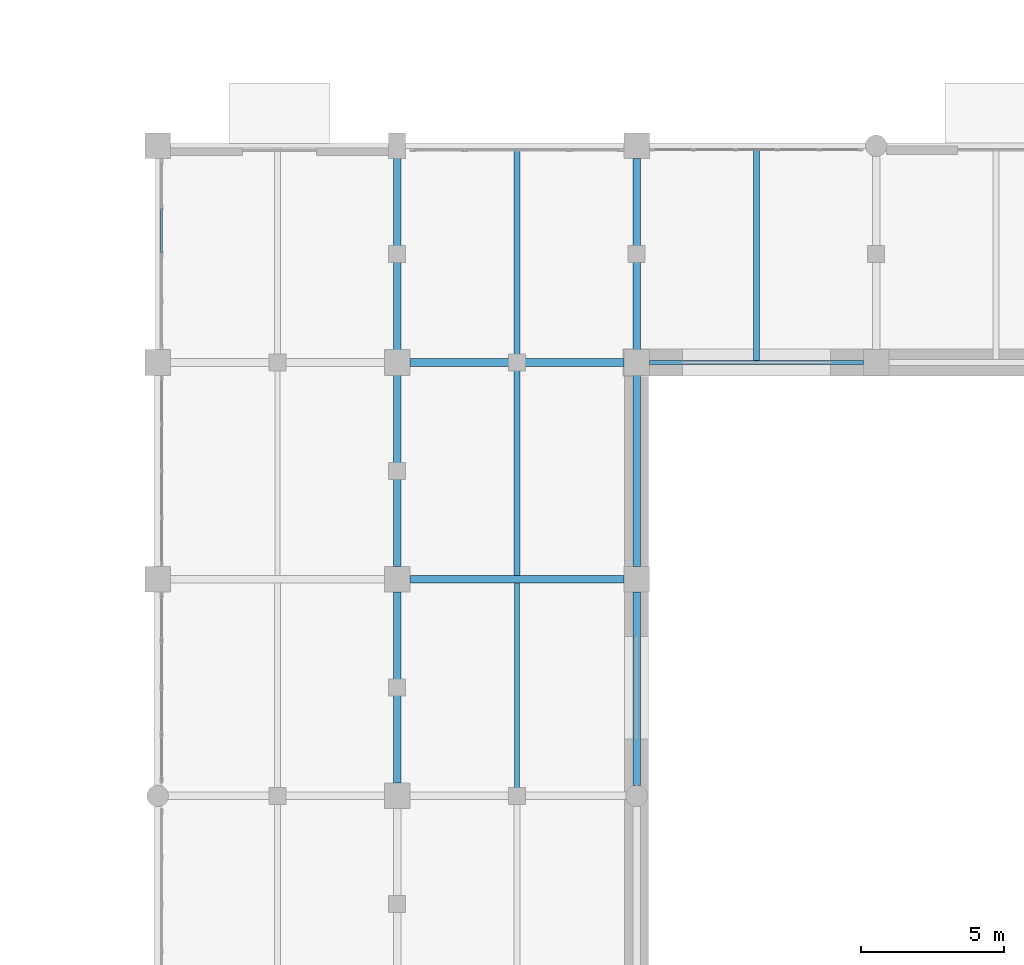
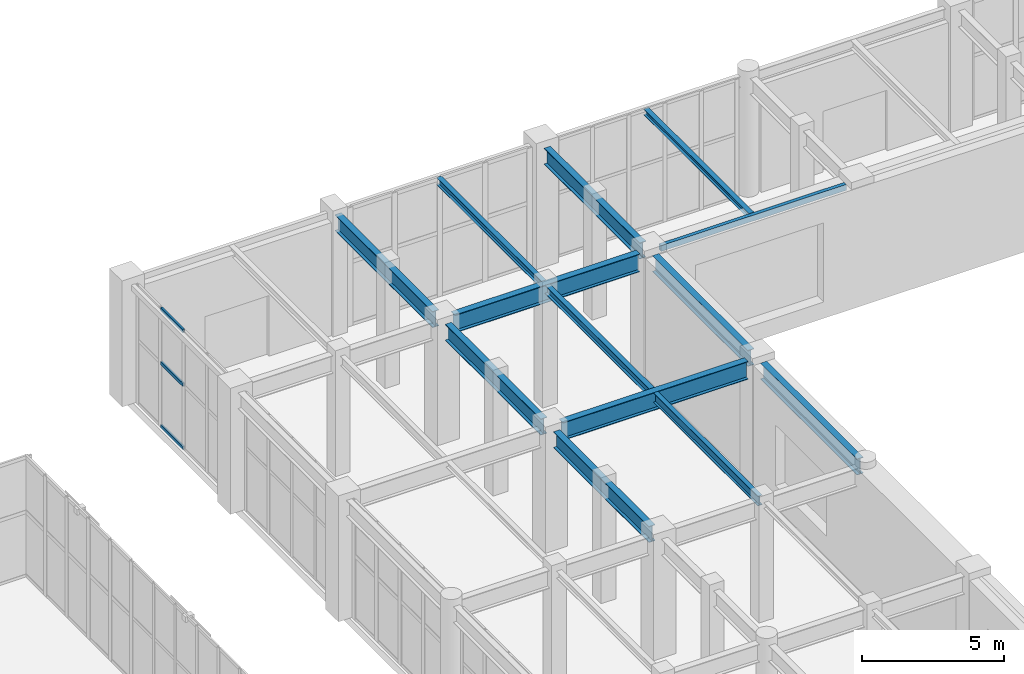
# One storey, part 57 of 139: 13 beams, 3 members, 1 element without a shape of its own.
"""IFC4 building model written with IfcOpenShell, lengths in metres."""

from ifc_helpers import new_model, si_unit, direction, frame, origin, origin_2d, place, context, subcontext, project, spatial, hollow_rectangle, i_section, extrude, material, layer, layer_set, material_profile, profile_set, type_object, element, aggregate, save


model = new_model("IFC4")

# Units and contexts
model_context = context("Model", 3, precision=1e-05, world=origin(), true_north=direction((0.0, 1.0)))
body_context = subcontext(model_context, "Body", "Model", "MODEL_VIEW")
ifc_project = project(units=[si_unit("LENGTHUNIT", "METRE"), si_unit("AREAUNIT", "SQUARE_METRE"), si_unit("VOLUMEUNIT", "CUBIC_METRE"), si_unit("PLANEANGLEUNIT", "RADIAN"), si_unit("MASSUNIT", "GRAM", prefix="KILO")], contexts=[model_context])

# Site, building, storey
site_placement = place(None, origin())
site = spatial("IfcSite", under=ifc_project, at=site_placement, CompositionType="ELEMENT")
building_placement = place(site_placement, origin())
building = spatial("IfcBuilding", under=site, at=building_placement, Name="Xicomal Pleat Aquarium", CompositionType="ELEMENT")
storey_placement = place(building_placement, origin())
storey = spatial("IfcBuildingStorey", under=building, at=storey_placement, Name="L01", CompositionType="ELEMENT", Elevation=0.0)

# Beams
ifc_material_1 = material(Name="Structural steel A992 Gr 50", Category="steel")
ifc_material_profile_1 = material_profile(ifc_material_1, i_section(OverallWidth=0.201904296875, OverallDepth=0.2470703125, WebThickness=0.00732421875, FlangeThickness=0.010986328125, at=origin_2d()), Name="IR 250x49")
ifc_profile_set_1 = profile_set([ifc_material_profile_1], Name="Structural steel A992 Gr 50")
beam_type_1 = type_object("IfcBeamType", Name="BM-STL-IR250", PredefinedType="JOIST", material=ifc_profile_set_1)
beam_1_placement = place(storey_placement, frame((64.800048828125, 76.077880859375, 4.9765625), z_axis=(0.0, 1.0, 0.0), x_axis=(-1.0, 0.0, 0.0)))
element("IfcBeam", 1, at=beam_1_placement, inside=storey, type_object=beam_type_1, Name="L01 framing beam FBJ-L01-08-L-1", PredefinedType="JOIST", context=body_context, shape_type="SweptSolid", body=[
    extrude(i_section(OverallWidth=0.201904296875, OverallDepth=0.2470703125, WebThickness=0.00732421875, FlangeThickness=0.010986328125, at=origin_2d()), origin(), (0.0, 0.0, 1.0), 7.422119140625),
])
ifc_material_2 = material(Name="Structural steel A992 Gr 50", Category="steel")
ifc_material_profile_2 = material_profile(ifc_material_2, i_section(OverallWidth=0.202880859375, OverallDepth=0.302978515625, WebThickness=0.007568359375, FlangeThickness=0.01318359375, at=origin_2d()), Name="IR 310x60")
ifc_profile_set_2 = profile_set([ifc_material_profile_2], Name="Structural steel A992 Gr 50")
beam_type_2 = type_object("IfcBeamType", Name="BM-STL-IR310", PredefinedType="JOIST", material=ifc_profile_set_2)
beam_2_placement = place(storey_placement, frame((56.39990234375, 76.136962890625, 4.948486328125), z_axis=(0.0, 1.0, 0.0), x_axis=(-1.0, 0.0, 0.0)))
element("IfcBeam", 2, at=beam_2_placement, inside=storey, type_object=beam_type_2, Name="L01 framing beam FBJ-L01-07-L-1", PredefinedType="JOIST", context=body_context, shape_type="SweptSolid", body=[
    extrude(i_section(OverallWidth=0.202880859375, OverallDepth=0.302978515625, WebThickness=0.007568359375, FlangeThickness=0.01318359375, at=origin_2d()), origin(), (0.0, 0.0, 1.0), 7.360107421875),
])
ifc_material_3 = material(Name="Structural steel A992 Gr 50", Category="steel")
ifc_material_profile_3 = material_profile(ifc_material_3, i_section(OverallWidth=0.205078125, OverallDepth=0.35400390625, WebThickness=0.009521484375, FlangeThickness=0.016845703125, at=origin_2d()), Name="IR 360x79")
ifc_profile_set_3 = profile_set([ifc_material_profile_3], Name="Structural steel A992 Gr 50")
beam_type_3 = type_object("IfcBeamType", Name="BM-STL-IR360", PredefinedType="JOIST", material=ifc_profile_set_3)
beam_3_placement = place(storey_placement, frame((56.39990234375, 68.537109375, 4.923095703125), z_axis=(0.0, 1.0, 0.0), x_axis=(-1.0, 0.0, 0.0)))
element("IfcBeam", 3, at=beam_3_placement, inside=storey, type_object=beam_type_3, Name="L01 framing beam FBJ-L01-07-K-1", PredefinedType="JOIST", context=body_context, shape_type="SweptSolid", body=[
    extrude(i_section(OverallWidth=0.205078125, OverallDepth=0.35400390625, WebThickness=0.009521484375, FlangeThickness=0.016845703125, at=origin_2d()), origin(), (0.0, 0.0, 1.0), 7.325927734375),
])
ifc_material_4 = material(Name="Structural steel A992 Gr 50", Category="steel")
ifc_material_profile_4 = material_profile(ifc_material_4, i_section(OverallWidth=0.180908203125, OverallDepth=0.4169921875, WebThickness=0.010986328125, FlangeThickness=0.018310546875, at=origin_2d()), Name="IR 410x85")
ifc_profile_set_4 = profile_set([ifc_material_profile_4], Name="Structural steel A992 Gr 50")
beam_type_4 = type_object("IfcBeamType", Name="BM-STL-IR410", PredefinedType="JOIST", material=ifc_profile_set_4)
beam_4_placement = place(storey_placement, frame((56.39990234375, 60.93701171875, 4.8916015625), z_axis=(0.0, 1.0, 0.0), x_axis=(-1.0, 0.0, 0.0)))
element("IfcBeam", 4, at=beam_4_placement, inside=storey, type_object=beam_type_4, Name="L01 framing beam FBJ-L01-07-J-1", PredefinedType="JOIST", context=body_context, shape_type="SweptSolid", body=[
    extrude(i_section(OverallWidth=0.180908203125, OverallDepth=0.4169921875, WebThickness=0.010986328125, FlangeThickness=0.018310546875, at=origin_2d()), origin(), (0.0, 0.0, 1.0), 7.325927734375),
])
ifc_material_5 = material(Name="Structural steel A992 Gr 50", Category="steel")
ifc_material_profile_5 = material_profile(ifc_material_5, i_section(OverallWidth=0.256103515625, OverallDepth=0.693115234375, WebThickness=0.014404296875, FlangeThickness=0.023681640625, at=origin_2d()), Name="IR 690x170")
ifc_profile_set_5 = profile_set([ifc_material_profile_5], Name="Structural steel A992 Gr 50")
beam_type_5 = type_object("IfcBeamType", Name="BM-STL-IR690", PredefinedType="BEAM", material=ifc_profile_set_5)
for number, where, z_axis, x_axis, name in (
    (5, (52.199951171875, 61.2451171875, 4.75341796875), (0.0, 1.0, 0.0), (-1.0, 0.0, 0.0), "L01 framing beam FGY-L01-07-J-K"),
    (6, (52.199951171875, 68.844970703125, 4.75341796875), (0.0, 1.0, 0.0), (-1.0, 0.0, 0.0), "L01 framing beam FGY-L01-07-K-L"),
):
    element("IfcBeam", number, at=place(storey_placement, frame(where, z_axis=z_axis, x_axis=x_axis)), inside=storey, type_object=beam_type_5, Name=name, PredefinedType="BEAM", context=body_context, shape_type="SweptSolid", body=[
        extrude(i_section(OverallWidth=0.256103515625, OverallDepth=0.693115234375, WebThickness=0.014404296875, FlangeThickness=0.023681640625, at=origin_2d()), origin(), (0.0, 0.0, 1.0), 6.7099609375),
    ])
beam_5_placement = place(storey_placement, frame((52.199951171875, 76.445068359375, 4.75341796875), z_axis=(0.0, 1.0, 0.0), x_axis=(-1.0, 0.0, 0.0)))
element("IfcBeam", 7, at=beam_5_placement, inside=storey, type_object=beam_type_5, Name="L01 framing beam FGY-L01-07-L-M", PredefinedType="BEAM", context=body_context, shape_type="SweptSolid", body=[
    extrude(i_section(OverallWidth=0.256103515625, OverallDepth=0.693115234375, WebThickness=0.014404296875, FlangeThickness=0.023681640625, at=origin_2d()), origin(), (0.0, 0.0, 1.0), 6.85986328125),
])
beam_6_placement = place(storey_placement, frame((60.60009765625, 61.169921875, 4.75341796875), z_axis=(0.0, 1.0, 0.0), x_axis=(-1.0, 0.0, 0.0)))
element("IfcBeam", 8, at=beam_6_placement, inside=storey, type_object=beam_type_5, Name="L01 framing beam FGY-L01-08-J-K", PredefinedType="BEAM", context=body_context, shape_type="SweptSolid", body=[
    extrude(i_section(OverallWidth=0.256103515625, OverallDepth=0.693115234375, WebThickness=0.014404296875, FlangeThickness=0.023681640625, at=origin_2d()), origin(), (0.0, 0.0, 1.0), 6.78515625),
])
for number, where, z_axis, x_axis, name in (
    (9, (60.60009765625, 68.844970703125, 4.75341796875), (0.0, 1.0, 0.0), (-1.0, 0.0, 0.0), "L01 framing beam FGY-L01-08-K-L"),
    (10, (60.60009765625, 76.445068359375, 4.75341796875), (0.0, 1.0, 0.0), (-1.0, 0.0, 0.0), "L01 framing beam FGY-L01-08-L-M"),
):
    element("IfcBeam", number, at=place(storey_placement, frame(where, z_axis=z_axis, x_axis=x_axis)), inside=storey, type_object=beam_type_5, Name=name, PredefinedType="BEAM", context=body_context, shape_type="SweptSolid", body=[
        extrude(i_section(OverallWidth=0.256103515625, OverallDepth=0.693115234375, WebThickness=0.014404296875, FlangeThickness=0.023681640625, at=origin_2d()), origin(), (0.0, 0.0, 1.0), 6.7099609375),
    ])
ifc_material_6 = material(Name="Structural steel A992 Gr 50", Category="steel")
ifc_material_profile_6 = material_profile(ifc_material_6, i_section(OverallWidth=0.26806640625, OverallDepth=0.77001953125, WebThickness=0.015625, FlangeThickness=0.025390625, at=origin_2d()), Name="IR 760x196")
ifc_profile_set_6 = profile_set([ifc_material_profile_6], Name="Structural steel A992 Gr 50")
beam_type_6 = type_object("IfcBeamType", Name="BM-STL-IR760", PredefinedType="BEAM", material=ifc_profile_set_6)
for number, where, z_axis, x_axis, name in (
    (11, (52.64501953125, 68.39990234375, 4.715087890625), (1.0, 0.0, 0.0), (0.0, 1.0, 0.0), "L01 framing beam FGX-L01-07-08-K"),
    (12, (52.64501953125, 76.0, 4.715087890625), (1.0, 0.0, 0.0), (0.0, 1.0, 0.0), "L01 framing beam FGX-L01-07-08-L"),
):
    element("IfcBeam", number, at=place(storey_placement, frame(where, z_axis=z_axis, x_axis=x_axis)), inside=storey, type_object=beam_type_6, Name=name, PredefinedType="BEAM", context=body_context, shape_type="SweptSolid", body=[
        extrude(i_section(OverallWidth=0.26806640625, OverallDepth=0.77001953125, WebThickness=0.015625, FlangeThickness=0.025390625, at=origin_2d()), origin(), (0.0, 0.0, 1.0), 7.510009765625),
    ])
ifc_material_7 = material(Name="Structural steel A500 Gr C", Category="steel")
ifc_material_profile_7 = material_profile(ifc_material_7, hollow_rectangle(XDim=0.14990234375, YDim=0.25, WallThickness=0.010009765625, at=origin_2d()), Name="OR 250x150x10")
ifc_profile_set_7 = profile_set([ifc_material_profile_7], Name="Structural steel A500 Gr C")
beam_type_7 = type_object("IfcBeamType", Name="BM-STL-OR250", PredefinedType="SPANDREL", material=ifc_profile_set_7)
beam_7_placement = place(storey_placement, frame((61.044921875, 76.0, 4.97509765625), z_axis=(1.0, 0.0, 0.0), x_axis=(0.0, 1.0, 0.0)))
element("IfcBeam", 13, at=beam_7_placement, inside=storey, type_object=beam_type_7, Name="L01 framing beam FGX-L01-08-09-L", PredefinedType="SPANDREL", context=body_context, shape_type="SweptSolid", body=[
    extrude(hollow_rectangle(XDim=0.14990234375, YDim=0.25, WallThickness=0.010009765625, at=origin_2d()), origin(), (0.0, 0.0, 1.0), 7.510009765625),
])

# Curtain wall, members
ifc_material_8 = material(Name="Bronze anodized aluminium 6063-T6", Category="aluminium")
ifc_layer = layer(ifc_material_8, 0.159912109375)
ifc_layer_set = layer_set([ifc_layer], Name="Bronze anodized aluminium 6063-T6")
curtain_wall_type = type_object("IfcCurtainWallType", Name="CW-SYS-06", PredefinedType="NOTDEFINED", material=ifc_layer_set)
curtain_wall_placement = place(storey_placement, origin())
curtain_wall = element("IfcCurtainWall", 14, at=curtain_wall_placement, inside=storey, type_object=curtain_wall_type, Name="L01 unitised curtain wall CW-L01-034", PredefinedType="NOTDEFINED")
ifc_material_9 = material(Name="Bronze anodized aluminium 6063-T6", Category="aluminium")
ifc_material_profile_8 = material_profile(ifc_material_9, hollow_rectangle(XDim=0.074951171875, YDim=0.14990234375, WallThickness=0.00439453125, at=origin_2d()), Name="ALU TRAN 75x150")
ifc_profile_set_8 = profile_set([ifc_material_profile_8], Name="Bronze anodized aluminium 6063-T6")
member_type = type_object("IfcMemberType", Name="CWT-75x150", PredefinedType="USERDEFINED", material=ifc_profile_set_8)
member_1_placement = place(storey_placement, frame((43.93994140625, 79.83740234375, 0.03759765625), z_axis=(0.0, 1.0, 0.0), x_axis=(-1.0, 0.0, 0.0)))
member_1 = element("IfcMember", 15, at=member_1_placement, type_object=member_type, Name="CW-06 transom 3.1", ObjectType="TRANSOM", PredefinedType="USERDEFINED", context=body_context, shape_type="SweptSolid", body=[
    extrude(hollow_rectangle(XDim=0.074951171875, YDim=0.14990234375, WallThickness=0.00439453125, at=origin_2d()), origin(), (0.0, 0.0, 1.0), 1.565185546875),
])
member_2_placement = place(storey_placement, frame((43.93994140625, 79.83740234375, 2.75390625), z_axis=(0.0, 1.0, 0.0), x_axis=(-1.0, 0.0, 0.0)))
member_2 = element("IfcMember", 16, at=member_2_placement, type_object=member_type, Name="CW-06 transom 3.2", ObjectType="TRANSOM", PredefinedType="USERDEFINED", context=body_context, shape_type="SweptSolid", body=[
    extrude(hollow_rectangle(XDim=0.074951171875, YDim=0.14990234375, WallThickness=0.00439453125, at=origin_2d()), origin(), (0.0, 0.0, 1.0), 1.565185546875),
])
member_3_placement = place(storey_placement, frame((43.93994140625, 79.83740234375, 5.0625), z_axis=(0.0, 1.0, 0.0), x_axis=(-1.0, 0.0, 0.0)))
member_3 = element("IfcMember", 17, at=member_3_placement, type_object=member_type, Name="CW-06 transom 3.3", ObjectType="TRANSOM", PredefinedType="USERDEFINED", context=body_context, shape_type="SweptSolid", body=[
    extrude(hollow_rectangle(XDim=0.074951171875, YDim=0.14990234375, WallThickness=0.00439453125, at=origin_2d()), origin(), (0.0, 0.0, 1.0), 1.565185546875),
])
aggregate(curtain_wall, [member_1, member_2, member_3])

save(model, "model.ifc")
